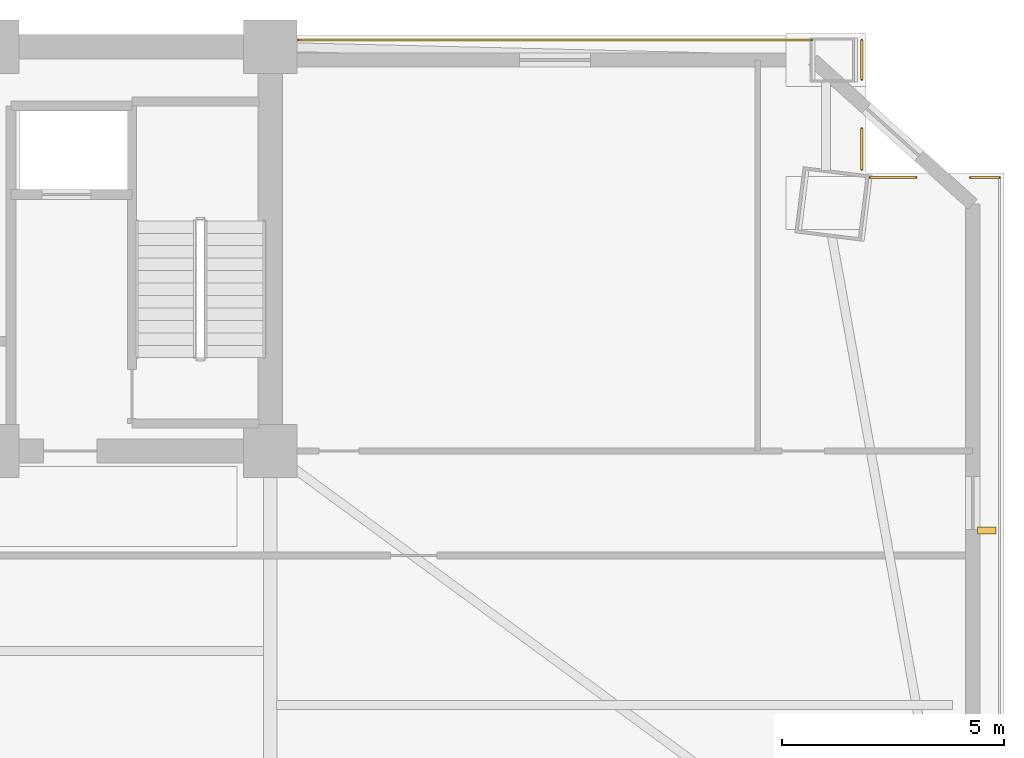
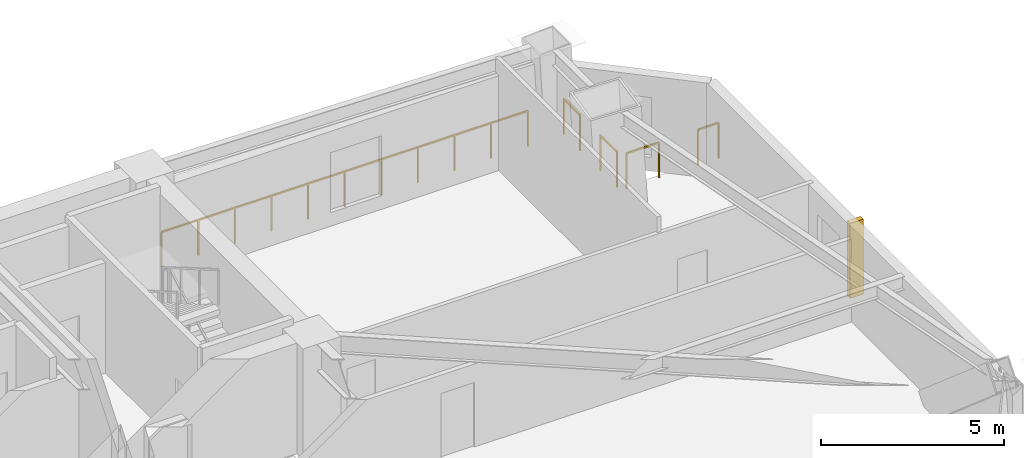
# One storey, part 16 of 16: 5 railings, 1 shading device.
"""IFC4 building model written with IfcOpenShell, lengths in metres."""

from ifc_helpers import new_model, si_unit, direction, frame, origin, origin_2d, place, context, subcontext, project, spatial, rectangle, extrude, source, transform, mapped, material, type_object, element, save


model = new_model("IFC4")

# Units and contexts
model_context = context("Model", 3, precision=1e-05, world=origin(), true_north=direction((0.0, 1.0)))
body_context = subcontext(model_context, "Body", "Model", "MODEL_VIEW")
ifc_project = project(units=[si_unit("LENGTHUNIT", "METRE"), si_unit("AREAUNIT", "SQUARE_METRE"), si_unit("VOLUMEUNIT", "CUBIC_METRE"), si_unit("PLANEANGLEUNIT", "RADIAN"), si_unit("MASSUNIT", "GRAM", prefix="KILO")], contexts=[model_context])

# Site, building, storey
site_placement = place(None, origin())
site = spatial("IfcSite", under=ifc_project, at=site_placement, CompositionType="ELEMENT")
building_placement = place(site_placement, origin())
building = spatial("IfcBuilding", under=site, at=building_placement, Name="Giltprow Tower", CompositionType="ELEMENT")
storey_placement = place(building_placement, frame((0.0, 0.0, 83.5)))
storey = spatial("IfcBuildingStorey", under=building, at=storey_placement, Name="L20", CompositionType="ELEMENT", Elevation=83.5)

# Railings
ifc_material = material(Name="Anodized bronze", Category="metal")
railing_type = type_object("IfcRailingType", Name="RAIL-BALC-GUARD-1200", PredefinedType="BALUSTRADE", material=ifc_material)
railing_1_placement = place(storey_placement, frame((51.18505859375, 46.699951171875, 0.0)))
element("IfcRailing", 1, at=railing_1_placement, inside=storey, type_object=railing_type, Name="L20 Corner Apron Edge Balustrade 11", PredefinedType="BALUSTRADE", context=body_context, shape_type="SweptSolid", body=[
    extrude(rectangle(XDim=0.048095703125, YDim=0.048095703125, at=origin_2d()), frame((0.0, 0.0, 1.17578125), z_axis=(1.0, 0.0, 0.0), x_axis=(0.0, 1.0, 0.0)), (0.0, 0.0, 1.0), 11.544921875),
    extrude(rectangle(XDim=0.0419921875, YDim=0.0419921875, at=origin_2d()), origin(), (0.0, 0.0, 1.0), 1.15185546875),
    extrude(rectangle(XDim=0.0419921875, YDim=0.0419921875, at=origin_2d()), frame((1.154541015625, 0.0, 0.0)), (0.0, 0.0, 1.0), 1.15185546875),
    extrude(rectangle(XDim=0.0419921875, YDim=0.0419921875, at=origin_2d()), frame((2.30908203125, 0.0, 0.0)), (0.0, 0.0, 1.0), 1.15185546875),
    extrude(rectangle(XDim=0.0419921875, YDim=0.0419921875, at=origin_2d()), frame((3.46337890625, 0.0, 0.0)), (0.0, 0.0, 1.0), 1.15185546875),
    extrude(rectangle(XDim=0.0419921875, YDim=0.0419921875, at=origin_2d()), frame((4.617919921875, 0.0, 0.0)), (0.0, 0.0, 1.0), 1.15185546875),
    extrude(rectangle(XDim=0.0419921875, YDim=0.0419921875, at=origin_2d()), frame((5.7724609375, 0.0, 0.0)), (0.0, 0.0, 1.0), 1.15185546875),
    extrude(rectangle(XDim=0.0419921875, YDim=0.0419921875, at=origin_2d()), frame((6.927001953125, 0.0, 0.0)), (0.0, 0.0, 1.0), 1.15185546875),
    extrude(rectangle(XDim=0.0419921875, YDim=0.0419921875, at=origin_2d()), frame((8.08154296875, 0.0, 0.0)), (0.0, 0.0, 1.0), 1.15185546875),
    extrude(rectangle(XDim=0.0419921875, YDim=0.0419921875, at=origin_2d()), frame((9.23583984375, 0.0, 0.0)), (0.0, 0.0, 1.0), 1.15185546875),
    extrude(rectangle(XDim=0.0419921875, YDim=0.0419921875, at=origin_2d()), frame((10.390380859375, 0.0, 0.0)), (0.0, 0.0, 1.0), 1.15185546875),
    extrude(rectangle(XDim=0.0419921875, YDim=0.0419921875, at=origin_2d()), frame((11.544921875, 0.0, 0.0)), (0.0, 0.0, 1.0), 1.15185546875),
])
railing_2_placement = place(storey_placement, frame((63.864990234375, 46.699951171875, 0.0)))
element("IfcRailing", 2, at=railing_2_placement, inside=storey, type_object=railing_type, Name="L20 Corner Apron Edge Balustrade 12", PredefinedType="BALUSTRADE", context=body_context, shape_type="SweptSolid", body=[
    extrude(rectangle(XDim=0.048095703125, YDim=0.048095703125, at=origin_2d()), frame((0.0, 0.0, 1.17578125), z_axis=(0.0, -1.0, 0.0), x_axis=(1.0, 0.0, 0.0)), (0.0, 0.0, 1.0), 0.890869140625),
    extrude(rectangle(XDim=0.0419921875, YDim=0.0419921875, at=origin_2d()), origin(), (0.0, 0.0, 1.0), 1.15185546875),
    extrude(rectangle(XDim=0.0419921875, YDim=0.0419921875, at=origin_2d()), frame((0.0, -0.890869140625, 0.0)), (0.0, 0.0, 1.0), 1.15185546875),
])
railing_3_placement = place(storey_placement, frame((63.864990234375, 44.705078125, 0.0)))
element("IfcRailing", 3, at=railing_3_placement, inside=storey, type_object=railing_type, Name="L20 Corner Apron Edge Balustrade 13", PredefinedType="BALUSTRADE", context=body_context, shape_type="SweptSolid", body=[
    extrude(rectangle(XDim=0.048095703125, YDim=0.048095703125, at=origin_2d()), frame((0.0, 0.0, 1.17578125), z_axis=(0.0, -1.0, 0.0), x_axis=(1.0, 0.0, 0.0)), (0.0, 0.0, 1.0), 0.916015625),
    extrude(rectangle(XDim=0.0419921875, YDim=0.0419921875, at=origin_2d()), origin(), (0.0, 0.0, 1.0), 1.15185546875),
    extrude(rectangle(XDim=0.0419921875, YDim=0.0419921875, at=origin_2d()), frame((0.0, -0.916015625, 0.0)), (0.0, 0.0, 1.0), 1.15185546875),
])
railing_4_placement = place(storey_placement, frame((64.050048828125, 43.60400390625, 0.0)))
element("IfcRailing", 4, at=railing_4_placement, inside=storey, type_object=railing_type, Name="L20 Corner Apron Edge Balustrade 14", PredefinedType="BALUSTRADE", context=body_context, shape_type="SweptSolid", body=[
    extrude(rectangle(XDim=0.048095703125, YDim=0.048095703125, at=origin_2d()), frame((0.0, 0.0, 1.17578125), z_axis=(1.0, 0.0, 0.0), x_axis=(0.0, 1.0, 0.0)), (0.0, 0.0, 1.0), 1.033935546875),
    extrude(rectangle(XDim=0.0419921875, YDim=0.0419921875, at=origin_2d()), origin(), (0.0, 0.0, 1.0), 1.15185546875),
    extrude(rectangle(XDim=0.0419921875, YDim=0.0419921875, at=origin_2d()), frame((1.033935546875, 0.0, 0.0)), (0.0, 0.0, 1.0), 1.15185546875),
])
railing_5_placement = place(storey_placement, frame((66.30810546875, 43.60400390625, 0.0)))
element("IfcRailing", 5, at=railing_5_placement, inside=storey, type_object=railing_type, Name="L20 Corner Apron Edge Balustrade 15", PredefinedType="BALUSTRADE", context=body_context, shape_type="SweptSolid", body=[
    extrude(rectangle(XDim=0.048095703125, YDim=0.048095703125, at=origin_2d()), frame((0.0, 0.0, 1.17578125), z_axis=(1.0, 0.0, 0.0), x_axis=(0.0, 1.0, 0.0)), (0.0, 0.0, 1.0), 0.65283203125),
    extrude(rectangle(XDim=0.0419921875, YDim=0.0419921875, at=origin_2d()), origin(), (0.0, 0.0, 1.0), 1.15185546875),
    extrude(rectangle(XDim=0.0419921875, YDim=0.0419921875, at=origin_2d()), frame((0.65283203125, 0.0, 0.0)), (0.0, 0.0, 1.0), 1.15185546875),
])

# Shading device
shading_device_type = type_object("IfcShadingDeviceType", Name="SHD-FIN-420", PredefinedType="USERDEFINED", material=ifc_material)
shared_shape = source(origin(), body_context, "Body", "SweptSolid", [
    extrude(rectangle(XDim=0.419921875, YDim=0.159912109375, at=origin_2d()), origin(), (0.0, 0.0, 1.0), 2.5),
])
shading_device_placement = place(storey_placement, frame((66.680908203125, 35.659912109375, 0.35009765625), z_axis=(0.0, 0.0, 1.0), x_axis=(1.0, 0.0, 0.0)))
element("IfcShadingDevice", 6, at=shading_device_placement, inside=storey, type_object=shading_device_type, Name="L20 E Bronze Vertical Fin 2-1", ObjectType="FIN", PredefinedType="USERDEFINED", context=body_context, shape_type="MappedRepresentation", body=[
    mapped(shared_shape, transform((0.0, 0.0, 0.0), x_axis=(1.0, 0.0, 0.0), y_axis=(0.0, 1.0, 0.0), z_axis=(0.0, 0.0, 1.0), scale=1.0)),
])

save(model, "model.ifc")
